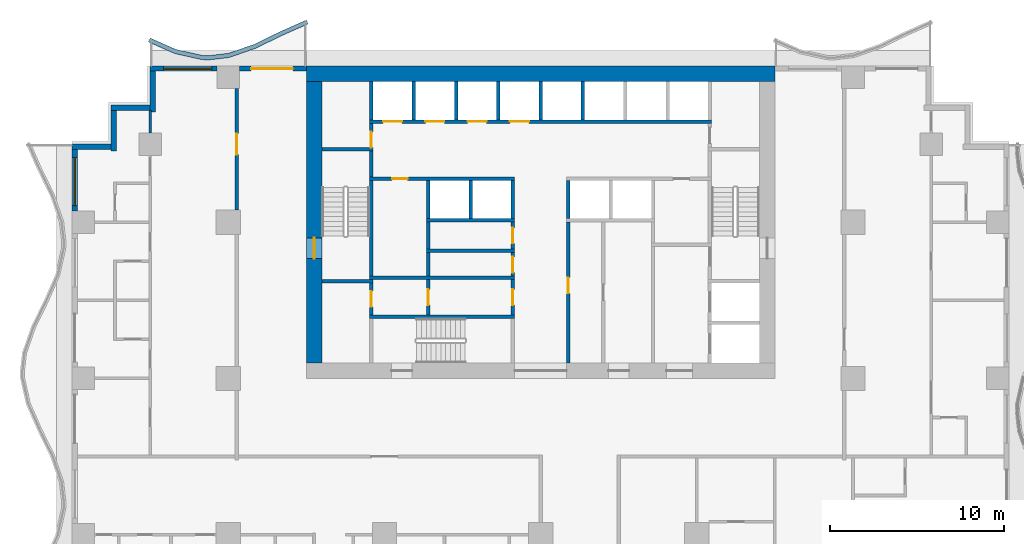
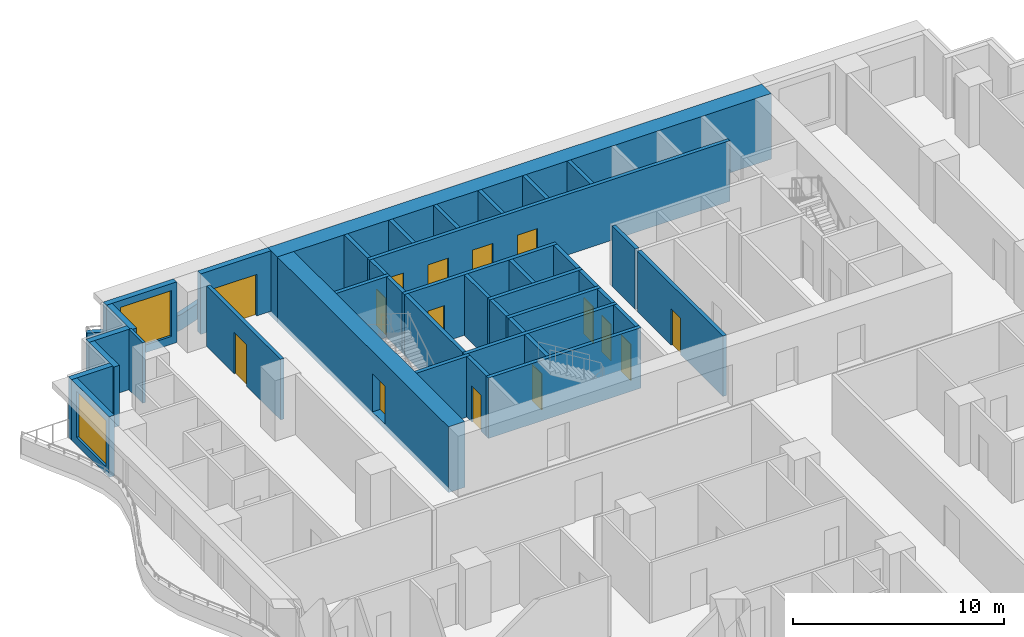
# One storey, part 5 of 14: 41 walls, 15 doors, 2 windows, 17 openings.
"""IFC4 building model written with IfcOpenShell, lengths in metres."""

from ifc_helpers import new_model, si_unit, direction, frame, frame_2d, origin, place, context, subcontext, project, spatial, polyline, rectangle, outline, extrude, material, layer, layer_set, type_object, element, fill, save


model = new_model("IFC4")

# Units and contexts
model_context = context("Model", 3, precision=1e-05, world=origin(), true_north=direction((0.0, 1.0)))
body_context = subcontext(model_context, "Body", "Model", "MODEL_VIEW")
ifc_project = project(units=[si_unit("LENGTHUNIT", "METRE"), si_unit("AREAUNIT", "SQUARE_METRE"), si_unit("VOLUMEUNIT", "CUBIC_METRE"), si_unit("PLANEANGLEUNIT", "RADIAN"), si_unit("MASSUNIT", "GRAM", prefix="KILO")], contexts=[model_context])

# Site, building, storey
site_placement = place(None, origin())
site = spatial("IfcSite", under=ifc_project, at=site_placement, CompositionType="ELEMENT")
building_placement = place(site_placement, origin())
building = spatial("IfcBuilding", under=site, at=building_placement, Name="Orbiselva Terraces", CompositionType="ELEMENT")
storey_placement = place(building_placement, frame((0.0, 0.0, 88.4)))
storey = spatial("IfcBuildingStorey", under=building, at=storey_placement, Name="L22", CompositionType="ELEMENT", Elevation=88.4)

# Wall, opening, door
ifc_material_1 = material(Name="Concrete C80/95", Category="concrete")
ifc_layer_1 = layer(ifc_material_1, 0.9)
ifc_layer_set_1 = layer_set([ifc_layer_1], Name="Concrete C80/95")
wall_type_1 = type_object("IfcWallType", Name="CORE WALL 900", PredefinedType="SHEAR", material=ifc_layer_set_1)
wall_1_placement = place(storey_placement, frame((-13.05, 21.6, -0.3), z_axis=(0.0, 0.0, 1.0), x_axis=(0.0, -1.0, 0.0)))
wall_1 = element("IfcWall", 1, at=wall_1_placement, inside=storey, type_object=wall_type_1, Name="Core wall L22 west", PredefinedType="SHEAR", context=body_context, shape_type="SweptSolid", body=[
    extrude(rectangle(XDim=16.2, YDim=0.9, at=frame_2d((8.1, 0.0))), origin(), (0.0, 0.0, 1.0), 3.8),
])
opening_1_placement = place(wall_1_placement, frame((9.0, 0.0, 0.3)))
opening_1 = element("IfcOpeningElement", 2, at=opening_1_placement, cuts=wall_1, Name="Opening DS1200", PredefinedType="OPENING", context=body_context, shape_type="SweptSolid", body=[
    extrude(rectangle(XDim=1.2, YDim=2.2, at=frame_2d((0.6, 1.1))), frame((0.0, 0.46, 0.0), z_axis=(0.0, -1.0, 0.0), x_axis=(1.0, 0.0, 0.0)), (0.0, 0.0, 1.0), 0.92),
])
ifc_material_2 = material(Name="Steel fire door", Category="steel")
door_type_1 = type_object("IfcDoorType", Name="STAIR DOOR 1200", OperationType="NOTDEFINED", PredefinedType="DOOR", material=ifc_material_2)
door_1_placement = place(opening_1_placement, frame((1.2, 0.0, 0.0), z_axis=(0.0, 0.0, 1.0), x_axis=(-1.0, 0.0, 0.0)))
door_1 = element("IfcDoor", 3, at=door_1_placement, inside=storey, type_object=door_type_1, Name="L22 EXIT STAIR S1 door", OperationType="SINGLE_SWING_RIGHT", OverallHeight=2.2, OverallWidth=1.2, PredefinedType="DOOR", context=body_context, shape_type="SweptSolid", body=[
    extrude(rectangle(XDim=1.2, YDim=2.2, at=frame_2d((0.6, 1.1))), frame((0.0, 0.025, 0.0), z_axis=(0.0, -1.0, 0.0), x_axis=(1.0, 0.0, 0.0)), (0.0, 0.0, 1.0), 0.05),
])
fill(opening_1, door_1)

# Wall
ifc_layer_2 = layer(ifc_material_1, 0.9)
ifc_layer_set_2 = layer_set([ifc_layer_2], Name="Concrete C80/95")
wall_type_2 = type_object("IfcWallType", Name="CORE WALL 900 EXTERNAL", PredefinedType="SHEAR", material=ifc_layer_set_2)
wall_2_placement = place(storey_placement, frame((13.5, 22.05, -0.3), z_axis=(0.0, 0.0, 1.0), x_axis=(-1.0, 0.0, 0.0)))
element("IfcWall", 4, at=wall_2_placement, inside=storey, type_object=wall_type_2, Name="Core wall L22 north", PredefinedType="SHEAR", context=body_context, shape_type="SweptSolid", body=[
    extrude(rectangle(XDim=27.0, YDim=0.9, at=frame_2d((13.5, 0.0))), origin(), (0.0, 0.0, 1.0), 3.8),
])

# Wall, opening, door
ifc_material_3 = material(Name="Masonry blockwork", Category="masonry")
ifc_layer_3 = layer(ifc_material_3, 0.2)
ifc_layer_set_3 = layer_set([ifc_layer_3], Name="Masonry blockwork")
wall_type_3 = type_object("IfcWallType", Name="CORE-WALL-PARTITION-200", PredefinedType="PARTITIONING", material=ifc_layer_set_3)
wall_3_placement = place(storey_placement, frame((-9.75, 8.15, 0.0), z_axis=(0.0, 0.0, 1.0), x_axis=(0.0, 1.0, 0.0)))
wall_3 = element("IfcWall", 5, at=wall_3_placement, inside=storey, type_object=wall_type_3, Name="L22 core wall 05", PredefinedType="PARTITIONING", context=body_context, shape_type="SweptSolid", body=[
    extrude(rectangle(XDim=1.85, YDim=0.2, at=frame_2d((0.925, 0.0))), origin(), (0.0, 0.0, 1.0), 3.5),
])
opening_2_placement = place(wall_3_placement, frame((0.475, 0.0, 0.0)))
opening_2 = element("IfcOpeningElement", 6, at=opening_2_placement, cuts=wall_3, Name="Opening DR900", PredefinedType="OPENING", context=body_context, shape_type="SweptSolid", body=[
    extrude(rectangle(XDim=0.9, YDim=2.1, at=frame_2d((0.45, 1.05))), frame((0.0, 0.11, 0.0), z_axis=(0.0, -1.0, 0.0), x_axis=(1.0, 0.0, 0.0)), (0.0, 0.0, 1.0), 0.22),
])
door_type_2 = type_object("IfcDoorType", Name="ROOM DOOR 900", OperationType="NOTDEFINED", PredefinedType="DOOR", material=ifc_material_2)
door_2_placement = place(opening_2_placement, origin())
door_2 = element("IfcDoor", 7, at=door_2_placement, inside=storey, type_object=door_type_2, Name="L22 ACCESSIBLE WC door", OperationType="SINGLE_SWING_RIGHT", OverallHeight=2.1, OverallWidth=0.9, PredefinedType="DOOR", context=body_context, shape_type="SweptSolid", body=[
    extrude(rectangle(XDim=0.9, YDim=2.1, at=frame_2d((0.45, 1.05))), frame((0.0, 0.025, 0.0), z_axis=(0.0, -1.0, 0.0), x_axis=(1.0, 0.0, 0.0)), (0.0, 0.0, 1.0), 0.05),
])
fill(opening_2, door_2)

wall_4_placement = place(storey_placement, frame((-9.75, 17.8, 0.0), z_axis=(0.0, 0.0, 1.0), x_axis=(0.0, 1.0, 0.0)))
wall_4 = element("IfcWall", 8, at=wall_4_placement, inside=storey, type_object=wall_type_3, Name="L22 core wall 10", PredefinedType="PARTITIONING", context=body_context, shape_type="SweptSolid", body=[
    extrude(rectangle(XDim=1.4, YDim=0.2, at=frame_2d((0.7, 0.0))), origin(), (0.0, 0.0, 1.0), 3.5),
])
opening_3_placement = place(wall_4_placement, origin())
opening_3 = element("IfcOpeningElement", 9, at=opening_3_placement, cuts=wall_4, Name="Opening DR900", PredefinedType="OPENING", context=body_context, shape_type="SweptSolid", body=[
    extrude(rectangle(XDim=0.9, YDim=2.1, at=frame_2d((0.45, 1.05))), frame((0.0, 0.11, 0.0), z_axis=(0.0, -1.0, 0.0), x_axis=(1.0, 0.0, 0.0)), (0.0, 0.0, 1.0), 0.22),
])
door_3_placement = place(opening_3_placement, origin())
door_3 = element("IfcDoor", 10, at=door_3_placement, inside=storey, type_object=door_type_2, Name="L22 ELECTRICAL RISER ROOM door", OperationType="SINGLE_SWING_LEFT", OverallHeight=2.1, OverallWidth=0.9, PredefinedType="DOOR", context=body_context, shape_type="SweptSolid", body=[
    extrude(rectangle(XDim=0.9, YDim=2.1, at=frame_2d((0.45, 1.05))), frame((0.0, 0.025, 0.0), z_axis=(0.0, -1.0, 0.0), x_axis=(1.0, 0.0, 0.0)), (0.0, 0.0, 1.0), 0.05),
])
fill(opening_3, door_3)

wall_5_placement = place(storey_placement, frame((-6.475, 8.15, 0.0), z_axis=(0.0, 0.0, 1.0), x_axis=(0.0, 1.0, 0.0)))
wall_5 = element("IfcWall", 11, at=wall_5_placement, inside=storey, type_object=wall_type_3, Name="L22 core wall 14", PredefinedType="PARTITIONING", context=body_context, shape_type="SweptSolid", body=[
    extrude(rectangle(XDim=2.05, YDim=0.2, at=frame_2d((1.025, 0.0))), origin(), (0.0, 0.0, 1.0), 3.5),
])
opening_4_placement = place(wall_5_placement, frame((0.575, 0.0, 0.0)))
opening_4 = element("IfcOpeningElement", 12, at=opening_4_placement, cuts=wall_5, Name="Opening DR900", PredefinedType="OPENING", context=body_context, shape_type="SweptSolid", body=[
    extrude(rectangle(XDim=0.9, YDim=2.1, at=frame_2d((0.45, 1.05))), frame((0.0, 0.11, 0.0), z_axis=(0.0, -1.0, 0.0), x_axis=(1.0, 0.0, 0.0)), (0.0, 0.0, 1.0), 0.22),
])
door_4_placement = place(opening_4_placement, origin())
door_4 = element("IfcDoor", 13, at=door_4_placement, inside=storey, type_object=door_type_2, Name="L22 CLEANERS STORE door", OperationType="SINGLE_SWING_RIGHT", OverallHeight=2.1, OverallWidth=0.9, PredefinedType="DOOR", context=body_context, shape_type="SweptSolid", body=[
    extrude(rectangle(XDim=0.9, YDim=2.1, at=frame_2d((0.45, 1.05))), frame((0.0, 0.025, 0.0), z_axis=(0.0, -1.0, 0.0), x_axis=(1.0, 0.0, 0.0)), (0.0, 0.0, 1.0), 0.05),
])
fill(opening_4, door_4)

# Walls
wall_6_placement = place(storey_placement, frame((-6.475, 10.4, 0.0), z_axis=(0.0, 0.0, 1.0), x_axis=(0.0, 1.0, 0.0)))
element("IfcWall", 14, at=wall_6_placement, inside=storey, type_object=wall_type_3, Name="L22 core wall 15", PredefinedType="PARTITIONING", context=body_context, shape_type="SweptSolid", body=[
    extrude(rectangle(XDim=1.35, YDim=0.2, at=frame_2d((0.675, 0.0))), origin(), (0.0, 0.0, 1.0), 3.5),
])
wall_7_placement = place(storey_placement, frame((-6.475, 11.95, 0.0), z_axis=(0.0, 0.0, 1.0), x_axis=(0.0, 1.0, 0.0)))
element("IfcWall", 15, at=wall_7_placement, inside=storey, type_object=wall_type_3, Name="L22 core wall 17", PredefinedType="PARTITIONING", context=body_context, shape_type="SweptSolid", body=[
    extrude(rectangle(XDim=1.55, YDim=0.2, at=frame_2d((0.775, 0.0))), origin(), (0.0, 0.0, 1.0), 3.5),
])

# Wall, opening, door
wall_8_placement = place(storey_placement, frame((-1.6, 8.15, 0.0), z_axis=(0.0, 0.0, 1.0), x_axis=(0.0, 1.0, 0.0)))
wall_8 = element("IfcWall", 16, at=wall_8_placement, inside=storey, type_object=wall_type_3, Name="L22 core wall 24", PredefinedType="PARTITIONING", context=body_context, shape_type="SweptSolid", body=[
    extrude(rectangle(XDim=2.05, YDim=0.2, at=frame_2d((1.025, 0.0))), origin(), (0.0, 0.0, 1.0), 3.5),
])
opening_5_placement = place(wall_8_placement, frame((0.575, 0.0, 0.0)))
opening_5 = element("IfcOpeningElement", 17, at=opening_5_placement, cuts=wall_8, Name="Opening DR900", PredefinedType="OPENING", context=body_context, shape_type="SweptSolid", body=[
    extrude(rectangle(XDim=0.9, YDim=2.1, at=frame_2d((0.45, 1.05))), frame((0.0, 0.11, 0.0), z_axis=(0.0, -1.0, 0.0), x_axis=(1.0, 0.0, 0.0)), (0.0, 0.0, 1.0), 0.22),
])
door_5_placement = place(opening_5_placement, origin())
door_5 = element("IfcDoor", 18, at=door_5_placement, inside=storey, type_object=door_type_2, Name="L22 COMMS ROOM door", OperationType="SINGLE_SWING_RIGHT", OverallHeight=2.1, OverallWidth=0.9, PredefinedType="DOOR", context=body_context, shape_type="SweptSolid", body=[
    extrude(rectangle(XDim=0.9, YDim=2.1, at=frame_2d((0.45, 1.05))), frame((0.0, 0.025, 0.0), z_axis=(0.0, -1.0, 0.0), x_axis=(1.0, 0.0, 0.0)), (0.0, 0.0, 1.0), 0.05),
])
fill(opening_5, door_5)

wall_9_placement = place(storey_placement, frame((-1.6, 10.4, 0.0), z_axis=(0.0, 0.0, 1.0), x_axis=(0.0, 1.0, 0.0)))
wall_9 = element("IfcWall", 19, at=wall_9_placement, inside=storey, type_object=wall_type_3, Name="L22 core wall 25", PredefinedType="PARTITIONING", context=body_context, shape_type="SweptSolid", body=[
    extrude(rectangle(XDim=1.35, YDim=0.2, at=frame_2d((0.675, 0.0))), origin(), (0.0, 0.0, 1.0), 3.5),
])
opening_6_placement = place(wall_9_placement, frame((0.2, 0.0, 0.0)))
opening_6 = element("IfcOpeningElement", 20, at=opening_6_placement, cuts=wall_9, Name="Opening DR900", PredefinedType="OPENING", context=body_context, shape_type="SweptSolid", body=[
    extrude(rectangle(XDim=0.9, YDim=2.1, at=frame_2d((0.45, 1.05))), frame((0.0, 0.11, 0.0), z_axis=(0.0, -1.0, 0.0), x_axis=(1.0, 0.0, 0.0)), (0.0, 0.0, 1.0), 0.22),
])
door_6_placement = place(opening_6_placement, origin())
door_6 = element("IfcDoor", 21, at=door_6_placement, inside=storey, type_object=door_type_2, Name="L22 BUILDING STORE door", OperationType="SINGLE_SWING_LEFT", OverallHeight=2.1, OverallWidth=0.9, PredefinedType="DOOR", context=body_context, shape_type="SweptSolid", body=[
    extrude(rectangle(XDim=0.9, YDim=2.1, at=frame_2d((0.45, 1.05))), frame((0.0, 0.025, 0.0), z_axis=(0.0, -1.0, 0.0), x_axis=(1.0, 0.0, 0.0)), (0.0, 0.0, 1.0), 0.05),
])
fill(opening_6, door_6)

wall_10_placement = place(storey_placement, frame((-1.6, 11.95, 0.0), z_axis=(0.0, 0.0, 1.0), x_axis=(0.0, 1.0, 0.0)))
wall_10 = element("IfcWall", 22, at=wall_10_placement, inside=storey, type_object=wall_type_3, Name="L22 core wall 26", PredefinedType="PARTITIONING", context=body_context, shape_type="SweptSolid", body=[
    extrude(rectangle(XDim=1.55, YDim=0.2, at=frame_2d((0.775, 0.0))), origin(), (0.0, 0.0, 1.0), 3.5),
])
opening_7_placement = place(wall_10_placement, frame((0.325, 0.0, 0.0)))
opening_7 = element("IfcOpeningElement", 23, at=opening_7_placement, cuts=wall_10, Name="Opening DR900", PredefinedType="OPENING", context=body_context, shape_type="SweptSolid", body=[
    extrude(rectangle(XDim=0.9, YDim=2.1, at=frame_2d((0.45, 1.05))), frame((0.0, 0.11, 0.0), z_axis=(0.0, -1.0, 0.0), x_axis=(1.0, 0.0, 0.0)), (0.0, 0.0, 1.0), 0.22),
])
door_7_placement = place(opening_7_placement, origin())
door_7 = element("IfcDoor", 24, at=door_7_placement, inside=storey, type_object=door_type_2, Name="L22 LINEN STORE door", OperationType="SINGLE_SWING_LEFT", OverallHeight=2.1, OverallWidth=0.9, PredefinedType="DOOR", context=body_context, shape_type="SweptSolid", body=[
    extrude(rectangle(XDim=0.9, YDim=2.1, at=frame_2d((0.45, 1.05))), frame((0.0, 0.025, 0.0), z_axis=(0.0, -1.0, 0.0), x_axis=(1.0, 0.0, 0.0)), (0.0, 0.0, 1.0), 0.05),
])
fill(opening_7, door_7)

# Walls
ifc_material_4 = material(Name="Concrete C40/50", Category="concrete")
ifc_layer_4 = layer(ifc_material_4, 0.2)
ifc_layer_set_4 = layer_set([ifc_layer_4], Name="Concrete C40/50")
wall_type_4 = type_object("IfcWallType", Name="CORE-WALL-SHAFT-200", PredefinedType="PARTITIONING", material=ifc_layer_set_4)
for number, where, z_axis, x_axis, name in (
    (25, (-9.75, 19.4, 0.0), (0.0, 0.0, 1.0), (0.0, 1.0, 0.0), "L22 core wall 12"),
    (26, (-7.3125, 19.4, 0.0), (0.0, 0.0, 1.0), (0.0, 1.0, 0.0), "L22 core wall 13"),
    (27, (-6.475, 13.7, 0.0), (0.0, 0.0, 1.0), (0.0, 1.0, 0.0), "L22 core wall 19"),
    (28, (-4.875, 19.4, 0.0), (0.0, 0.0, 1.0), (0.0, 1.0, 0.0), "L22 core wall 20"),
    (29, (-4.0375, 13.7, 0.0), (0.0, 0.0, 1.0), (0.0, 1.0, 0.0), "L22 core wall 21"),
    (30, (-2.4375, 19.4, 0.0), (0.0, 0.0, 1.0), (0.0, 1.0, 0.0), "L22 core wall 22"),
    (31, (-1.6, 13.7, 0.0), (0.0, 0.0, 1.0), (0.0, 1.0, 0.0), "L22 core wall 27"),
    (32, (0.0, 19.4, 0.0), (0.0, 0.0, 1.0), (0.0, 1.0, 0.0), "L22 core wall 28"),
    (33, (1.6, 13.7, 0.0), (0.0, 0.0, 1.0), (0.0, 1.0, 0.0), "L22 core wall 31"),
    (34, (2.4375, 19.4, 0.0), (0.0, 0.0, 1.0), (0.0, 1.0, 0.0), "L22 core wall 33"),
):
    element("IfcWall", number, at=place(storey_placement, frame(where, z_axis=z_axis, x_axis=x_axis)), inside=storey, type_object=wall_type_4, Name=name, PredefinedType="PARTITIONING", context=body_context, shape_type="SweptSolid", body=[
        extrude(rectangle(XDim=2.2, YDim=0.2, at=frame_2d((1.1, 0.0))), origin(), (0.0, 0.0, 1.0), 3.5),
    ])
ifc_material_5 = material(Name="Concrete C60/75", Category="concrete")
ifc_layer_5 = layer(ifc_material_5, 0.2)
ifc_layer_set_5 = layer_set([ifc_layer_5], Name="Concrete C60/75")
wall_type_5 = type_object("IfcWallType", Name="CORE-WALL-SHEAR-200", PredefinedType="SHEAR", material=ifc_layer_set_5)
for number, where, z_axis, x_axis, name in (
    (35, (-12.6, 10.1, 0.0), (0.0, 0.0, 1.0), (1.0, 0.0, 0.0), "L22 core wall 01"),
    (36, (-12.6, 17.7, 0.0), (0.0, 0.0, 1.0), (1.0, 0.0, 0.0), "L22 core wall 02"),
):
    element("IfcWall", number, at=place(storey_placement, frame(where, z_axis=z_axis, x_axis=x_axis)), inside=storey, type_object=wall_type_5, Name=name, PredefinedType="SHEAR", context=body_context, shape_type="SweptSolid", body=[
        extrude(rectangle(XDim=2.95, YDim=0.2, at=frame_2d((1.475, 0.0))), origin(), (0.0, 0.0, 1.0), 3.5),
    ])
for number, where, z_axis, x_axis, name in (
    (37, (-9.85, 8.05, 0.0), (0.0, 0.0, 1.0), (1.0, 0.0, 0.0), "L22 core wall 04"),
    (38, (-9.85, 10.3, 0.0), (0.0, 0.0, 1.0), (1.0, 0.0, 0.0), "L22 core wall 06"),
):
    element("IfcWall", number, at=place(storey_placement, frame(where, z_axis=z_axis, x_axis=x_axis)), inside=storey, type_object=wall_type_5, Name=name, PredefinedType="SHEAR", context=body_context, shape_type="SweptSolid", body=[
        extrude(rectangle(XDim=8.35, YDim=0.2, at=frame_2d((4.175, 0.0))), origin(), (0.0, 0.0, 1.0), 3.5),
    ])
wall_11_placement = place(storey_placement, frame((-9.75, 10.4, 0.0), z_axis=(0.0, 0.0, 1.0), x_axis=(0.0, 1.0, 0.0)))
element("IfcWall", 39, at=wall_11_placement, inside=storey, type_object=wall_type_5, Name="L22 core wall 07", PredefinedType="SHEAR", context=body_context, shape_type="SweptSolid", body=[
    extrude(rectangle(XDim=5.5, YDim=0.2, at=frame_2d((2.75, 0.0))), origin(), (0.0, 0.0, 1.0), 3.5),
])

# Wall, opening, door
wall_12_placement = place(storey_placement, frame((-1.5, 16.0, 0.0), z_axis=(0.0, 0.0, 1.0), x_axis=(-1.0, 0.0, 0.0)))
wall_12 = element("IfcWall", 40, at=wall_12_placement, inside=storey, type_object=wall_type_5, Name="L22 core wall 08", PredefinedType="SHEAR", context=body_context, shape_type="SweptSolid", body=[
    extrude(rectangle(XDim=8.35, YDim=0.2, at=frame_2d((4.175, 0.0))), origin(), (0.0, 0.0, 1.0), 3.5),
])
opening_8_placement = place(wall_12_placement, frame((6.1625, 0.0, 0.0)))
opening_8 = element("IfcOpeningElement", 41, at=opening_8_placement, cuts=wall_12, Name="Opening DR900", PredefinedType="OPENING", context=body_context, shape_type="SweptSolid", body=[
    extrude(rectangle(XDim=0.9, YDim=2.1, at=frame_2d((0.45, 1.05))), frame((0.0, 0.11, 0.0), z_axis=(0.0, -1.0, 0.0), x_axis=(1.0, 0.0, 0.0)), (0.0, 0.0, 1.0), 0.22),
])
door_8_placement = place(opening_8_placement, origin())
door_8 = element("IfcDoor", 42, at=door_8_placement, inside=storey, type_object=door_type_2, Name="L22 GUEST PANTRY door", OperationType="SINGLE_SWING_RIGHT", OverallHeight=2.1, OverallWidth=0.9, PredefinedType="DOOR", context=body_context, shape_type="SweptSolid", body=[
    extrude(rectangle(XDim=0.9, YDim=2.1, at=frame_2d((0.45, 1.05))), frame((0.0, 0.025, 0.0), z_axis=(0.0, -1.0, 0.0), x_axis=(1.0, 0.0, 0.0)), (0.0, 0.0, 1.0), 0.05),
])
fill(opening_8, door_8)

# Wall
wall_13_placement = place(storey_placement, frame((-9.75, 16.1, 0.0), z_axis=(0.0, 0.0, 1.0), x_axis=(0.0, 1.0, 0.0)))
element("IfcWall", 43, at=wall_13_placement, inside=storey, type_object=wall_type_5, Name="L22 core wall 09", PredefinedType="SHEAR", context=body_context, shape_type="SweptSolid", body=[
    extrude(rectangle(XDim=1.5, YDim=0.2, at=frame_2d((0.75, 0.0))), origin(), (0.0, 0.0, 1.0), 3.5),
])

# Wall, openings, doors
wall_14_placement = place(storey_placement, frame((-9.85, 19.3, 0.0), z_axis=(0.0, 0.0, 1.0), x_axis=(1.0, 0.0, 0.0)))
wall_14 = element("IfcWall", 44, at=wall_14_placement, inside=storey, type_object=wall_type_5, Name="L22 core wall 11", PredefinedType="SHEAR", context=body_context, shape_type="SweptSolid", body=[
    extrude(rectangle(XDim=19.7, YDim=0.2, at=frame_2d((9.85, 0.0))), origin(), (0.0, 0.0, 1.0), 3.5),
])
opening_9_placement = place(wall_14_placement, frame((0.76875, 0.0, 0.0)))
opening_9 = element("IfcOpeningElement", 45, at=opening_9_placement, cuts=wall_14, Name="Opening LD-LR1", PredefinedType="OPENING", context=body_context, shape_type="SweptSolid", body=[
    extrude(rectangle(XDim=1.1, YDim=2.1, at=frame_2d((0.55, 1.05))), frame((0.0, 0.11, 0.0), z_axis=(0.0, -1.0, 0.0), x_axis=(1.0, 0.0, 0.0)), (0.0, 0.0, 1.0), 0.22),
])
opening_10_placement = place(wall_14_placement, frame((3.20625, 0.0, 0.0)))
opening_10 = element("IfcOpeningElement", 46, at=opening_10_placement, cuts=wall_14, Name="Opening LD-LR2", PredefinedType="OPENING", context=body_context, shape_type="SweptSolid", body=[
    extrude(rectangle(XDim=1.1, YDim=2.1, at=frame_2d((0.55, 1.05))), frame((0.0, 0.11, 0.0), z_axis=(0.0, -1.0, 0.0), x_axis=(1.0, 0.0, 0.0)), (0.0, 0.0, 1.0), 0.22),
])
opening_11_placement = place(wall_14_placement, frame((5.64375, 0.0, 0.0)))
opening_11 = element("IfcOpeningElement", 47, at=opening_11_placement, cuts=wall_14, Name="Opening LD-LR3", PredefinedType="OPENING", context=body_context, shape_type="SweptSolid", body=[
    extrude(rectangle(XDim=1.1, YDim=2.1, at=frame_2d((0.55, 1.05))), frame((0.0, 0.11, 0.0), z_axis=(0.0, -1.0, 0.0), x_axis=(1.0, 0.0, 0.0)), (0.0, 0.0, 1.0), 0.22),
])
opening_12_placement = place(wall_14_placement, frame((8.08125, 0.0, 0.0)))
opening_12 = element("IfcOpeningElement", 48, at=opening_12_placement, cuts=wall_14, Name="Opening LD-LR4", PredefinedType="OPENING", context=body_context, shape_type="SweptSolid", body=[
    extrude(rectangle(XDim=1.1, YDim=2.1, at=frame_2d((0.55, 1.05))), frame((0.0, 0.11, 0.0), z_axis=(0.0, -1.0, 0.0), x_axis=(1.0, 0.0, 0.0)), (0.0, 0.0, 1.0), 0.22),
])
ifc_material_6 = material(Name="Stainless steel landing door", Category="steel")
door_type_3 = type_object("IfcDoorType", Name="LANDING DOOR 1100", OperationType="SLIDING_TO_LEFT", PredefinedType="DOOR", material=ifc_material_6)
door_9_placement = place(opening_9_placement, origin())
door_9 = element("IfcDoor", 49, at=door_9_placement, inside=storey, type_object=door_type_3, Name="L22 landing door LR1", OperationType="SLIDING_TO_LEFT", OverallHeight=2.1, OverallWidth=1.1, PredefinedType="DOOR", context=body_context, shape_type="SweptSolid", body=[
    extrude(rectangle(XDim=1.1, YDim=2.1, at=frame_2d((0.55, 1.05))), frame((0.0, 0.025, 0.0), z_axis=(0.0, -1.0, 0.0), x_axis=(1.0, 0.0, 0.0)), (0.0, 0.0, 1.0), 0.05),
])
fill(opening_9, door_9)
door_10_placement = place(opening_10_placement, origin())
door_10 = element("IfcDoor", 50, at=door_10_placement, inside=storey, type_object=door_type_3, Name="L22 landing door LR2", OperationType="SLIDING_TO_LEFT", OverallHeight=2.1, OverallWidth=1.1, PredefinedType="DOOR", context=body_context, shape_type="SweptSolid", body=[
    extrude(rectangle(XDim=1.1, YDim=2.1, at=frame_2d((0.55, 1.05))), frame((0.0, 0.025, 0.0), z_axis=(0.0, -1.0, 0.0), x_axis=(1.0, 0.0, 0.0)), (0.0, 0.0, 1.0), 0.05),
])
fill(opening_10, door_10)
door_11_placement = place(opening_11_placement, origin())
door_11 = element("IfcDoor", 51, at=door_11_placement, inside=storey, type_object=door_type_3, Name="L22 landing door LR3", OperationType="SLIDING_TO_LEFT", OverallHeight=2.1, OverallWidth=1.1, PredefinedType="DOOR", context=body_context, shape_type="SweptSolid", body=[
    extrude(rectangle(XDim=1.1, YDim=2.1, at=frame_2d((0.55, 1.05))), frame((0.0, 0.025, 0.0), z_axis=(0.0, -1.0, 0.0), x_axis=(1.0, 0.0, 0.0)), (0.0, 0.0, 1.0), 0.05),
])
fill(opening_11, door_11)
door_12_placement = place(opening_12_placement, origin())
door_12 = element("IfcDoor", 52, at=door_12_placement, inside=storey, type_object=door_type_3, Name="L22 landing door LR4", OperationType="SLIDING_TO_LEFT", OverallHeight=2.1, OverallWidth=1.1, PredefinedType="DOOR", context=body_context, shape_type="SweptSolid", body=[
    extrude(rectangle(XDim=1.1, YDim=2.1, at=frame_2d((0.55, 1.05))), frame((0.0, 0.025, 0.0), z_axis=(0.0, -1.0, 0.0), x_axis=(1.0, 0.0, 0.0)), (0.0, 0.0, 1.0), 0.05),
])
fill(opening_12, door_12)

# Walls
for number, where, z_axis, x_axis, name in (
    (53, (-6.575, 11.85, 0.0), (0.0, 0.0, 1.0), (1.0, 0.0, 0.0), "L22 core wall 16"),
    (54, (-6.575, 13.6, 0.0), (0.0, 0.0, 1.0), (1.0, 0.0, 0.0), "L22 core wall 18"),
):
    element("IfcWall", number, at=place(storey_placement, frame(where, z_axis=z_axis, x_axis=x_axis)), inside=storey, type_object=wall_type_5, Name=name, PredefinedType="SHEAR", context=body_context, shape_type="SweptSolid", body=[
        extrude(rectangle(XDim=5.075, YDim=0.2, at=frame_2d((2.5375, 0.0))), origin(), (0.0, 0.0, 1.0), 3.5),
    ])

# Wall, opening, door
wall_15_placement = place(storey_placement, frame((1.6, 13.5, 0.0), z_axis=(0.0, 0.0, 1.0), x_axis=(0.0, -1.0, 0.0)))
wall_15 = element("IfcWall", 55, at=wall_15_placement, inside=storey, type_object=wall_type_5, Name="L22 core wall 29", PredefinedType="SHEAR", context=body_context, shape_type="SweptSolid", body=[
    extrude(rectangle(XDim=8.1, YDim=0.2, at=frame_2d((4.05, 0.0))), origin(), (0.0, 0.0, 1.0), 3.5),
])
opening_13_placement = place(wall_15_placement, frame((3.2, 0.0, 0.0)))
opening_13 = element("IfcOpeningElement", 56, at=opening_13_placement, cuts=wall_15, Name="Opening DR900", PredefinedType="OPENING", context=body_context, shape_type="SweptSolid", body=[
    extrude(rectangle(XDim=0.9, YDim=2.1, at=frame_2d((0.45, 1.05))), frame((0.0, 0.11, 0.0), z_axis=(0.0, -1.0, 0.0), x_axis=(1.0, 0.0, 0.0)), (0.0, 0.0, 1.0), 0.22),
])
door_13_placement = place(opening_13_placement, origin())
door_13 = element("IfcDoor", 57, at=door_13_placement, inside=storey, type_object=door_type_2, Name="L22 COMMS ROOM door", OperationType="SINGLE_SWING_LEFT", OverallHeight=2.1, OverallWidth=0.9, PredefinedType="DOOR", context=body_context, shape_type="SweptSolid", body=[
    extrude(rectangle(XDim=0.9, YDim=2.1, at=frame_2d((0.45, 1.05))), frame((0.0, 0.025, 0.0), z_axis=(0.0, -1.0, 0.0), x_axis=(1.0, 0.0, 0.0)), (0.0, 0.0, 1.0), 0.05),
])
fill(opening_13, door_13)

# Wall
ifc_layer_6 = layer(ifc_material_4, 0.25)
ifc_layer_set_6 = layer_set([ifc_layer_6], Name="Concrete C40/50")
wall_type_6 = type_object("IfcWallType", Name="ENV-PLANTER-250x900", PredefinedType="USERDEFINED", material=ifc_layer_set_6)
wall_16_placement = place(storey_placement, origin())
element("IfcWall", 58, at=wall_16_placement, inside=storey, type_object=wall_type_6, Name="Balcony planter L22 NW", ObjectType="PLANTER", PredefinedType="USERDEFINED", context=body_context, shape_type="SweptSolid", body=[
    extrude(outline(polyline([(-13.5, 25.148528), (-15.0, 24.487721), (-16.5, 23.755211), (-18.0, 23.230792), (-19.125, 23.1), (-19.5, 23.114774), (-21.0, 23.451472), (-22.5, 24.112279), (-22.600788, 23.883496), (-21.078508, 23.212874), (-19.532565, 22.865863), (-19.115428, 22.849429), (-17.943629, 22.985662), (-16.40356, 23.524089), (-14.894714, 24.260919), (-13.399212, 24.919745), (-13.5, 25.148528)])), origin(), (0.0, 0.0, 1.0), 0.9),
])

# Wall, opening, door
ifc_material_7 = material(Name="Terracotta cladding on masonry backing", Category="masonry")
ifc_layer_7 = layer(ifc_material_7, 0.3)
ifc_layer_set_7 = layer_set([ifc_layer_7], Name="Terracotta cladding on masonry backing")
wall_type_7 = type_object("IfcWallType", Name="ENV-WALL-TERRACOTTA-300", PredefinedType="SOLIDWALL", material=ifc_layer_set_7)
wall_17_placement = place(storey_placement, frame((-17.35, 22.35, 0.0), z_axis=(0.0, 0.0, 1.0), x_axis=(1.0, 0.0, 0.0)))
wall_17 = element("IfcWall", 59, at=wall_17_placement, inside=storey, type_object=wall_type_7, Name="Facade wall L22 NW", PredefinedType="SOLIDWALL", context=body_context, shape_type="SweptSolid", body=[
    extrude(rectangle(XDim=3.85, YDim=0.3, at=frame_2d((1.925, 0.0))), origin(), (0.0, 0.0, 1.0), 3.5),
])
opening_14_placement = place(wall_17_placement, frame((0.675, 0.0, 0.0)))
opening_14 = element("IfcOpeningElement", 60, at=opening_14_placement, cuts=wall_17, Name="Opening Z2-B-E19", PredefinedType="OPENING", context=body_context, shape_type="SweptSolid", body=[
    extrude(rectangle(XDim=2.4, YDim=2.4, at=frame_2d((1.2, 1.2))), frame((0.0, 0.16, 0.0), z_axis=(0.0, -1.0, 0.0), x_axis=(1.0, 0.0, 0.0)), (0.0, 0.0, 1.0), 0.32),
])
ifc_material_8 = material(Name="Clear low-e glazing in aluminium frame", Category="aluminium")
door_type_4 = type_object("IfcDoorType", Name="BALCONY DOOR 2400 X 2400", OperationType="DOUBLE_DOOR_SLIDING", PredefinedType="DOOR", material=ifc_material_8)
door_14_placement = place(opening_14_placement, origin())
door_14 = element("IfcDoor", 61, at=door_14_placement, inside=storey, type_object=door_type_4, Name="Z2-B-E19", OperationType="SINGLE_SWING_LEFT", OverallHeight=2.4, OverallWidth=2.4, PredefinedType="DOOR", context=body_context, shape_type="SweptSolid", body=[
    extrude(rectangle(XDim=2.4, YDim=2.4, at=frame_2d((1.2, 1.2))), frame((0.0, 0.025, 0.0), z_axis=(0.0, -1.0, 0.0), x_axis=(1.0, 0.0, 0.0)), (0.0, 0.0, 1.0), 0.05),
])
fill(opening_14, door_14)

# Wall, opening, window
wall_18_placement = place(storey_placement, frame((-22.5, 22.35, 0.0), z_axis=(0.0, 0.0, 1.0), x_axis=(1.0, 0.0, 0.0)))
wall_18 = element("IfcWall", 62, at=wall_18_placement, inside=storey, type_object=wall_type_7, Name="Facade wall L22 NW", PredefinedType="SOLIDWALL", context=body_context, shape_type="SweptSolid", body=[
    extrude(rectangle(XDim=3.85, YDim=0.3, at=frame_2d((1.925, 0.0))), origin(), (0.0, 0.0, 1.0), 3.5),
])
opening_15_placement = place(wall_18_placement, frame((0.775, 0.0, 0.45)))
opening_15 = element("IfcOpeningElement", 63, at=opening_15_placement, cuts=wall_18, Name="Opening WN6", PredefinedType="OPENING", context=body_context, shape_type="SweptSolid", body=[
    extrude(rectangle(XDim=2.775, YDim=2.65, at=frame_2d((1.3875, 1.325))), frame((0.0, 0.16, 0.0), z_axis=(0.0, -1.0, 0.0), x_axis=(1.0, 0.0, 0.0)), (0.0, 0.0, 1.0), 0.32),
])
window_type = type_object("IfcWindowType", Name="WINDOW 2775 X 2650 S450", PartitioningType="TRIPLE_PANEL_VERTICAL", PredefinedType="WINDOW", material=ifc_material_8)
window_1_placement = place(opening_15_placement, origin())
window_1 = element("IfcWindow", 64, at=window_1_placement, inside=storey, type_object=window_type, Name="Window L22 NW", OverallHeight=2.65, OverallWidth=2.775, PartitioningType="SINGLE_PANEL", PredefinedType="WINDOW", context=body_context, shape_type="SweptSolid", body=[
    extrude(rectangle(XDim=2.775, YDim=2.65, at=frame_2d((1.3875, 1.325))), frame((0.0, 0.03, 0.0), z_axis=(0.0, -1.0, 0.0), x_axis=(1.0, 0.0, 0.0)), (0.0, 0.0, 1.0), 0.06),
])
fill(opening_15, window_1)

# Walls
wall_19_placement = place(storey_placement, frame((-22.35, 19.85, 0.0), z_axis=(0.0, 0.0, 1.0), x_axis=(0.0, 1.0, 0.0)))
element("IfcWall", 65, at=wall_19_placement, inside=storey, type_object=wall_type_7, Name="Facade wall L22 STEP", PredefinedType="SOLIDWALL", context=body_context, shape_type="SweptSolid", body=[
    extrude(rectangle(XDim=2.35, YDim=0.3, at=frame_2d((1.175, 0.0))), origin(), (0.0, 0.0, 1.0), 3.5),
])
wall_20_placement = place(storey_placement, frame((-24.75, 20.1, 0.0), z_axis=(0.0, 0.0, 1.0), x_axis=(1.0, 0.0, 0.0)))
element("IfcWall", 66, at=wall_20_placement, inside=storey, type_object=wall_type_7, Name="Facade wall L22 STEP", PredefinedType="SOLIDWALL", context=body_context, shape_type="SweptSolid", body=[
    extrude(rectangle(XDim=2.25, YDim=0.3, at=frame_2d((1.125, 0.0))), origin(), (0.0, 0.0, 1.0), 3.5),
])
wall_21_placement = place(storey_placement, frame((-24.6, 17.6, 0.0), z_axis=(0.0, 0.0, 1.0), x_axis=(0.0, 1.0, 0.0)))
element("IfcWall", 67, at=wall_21_placement, inside=storey, type_object=wall_type_7, Name="Facade wall L22 STEP", PredefinedType="SOLIDWALL", context=body_context, shape_type="SweptSolid", body=[
    extrude(rectangle(XDim=2.35, YDim=0.3, at=frame_2d((1.175, 0.0))), origin(), (0.0, 0.0, 1.0), 3.5),
])
wall_22_placement = place(storey_placement, frame((-27.0, 17.85, 0.0), z_axis=(0.0, 0.0, 1.0), x_axis=(1.0, 0.0, 0.0)))
element("IfcWall", 68, at=wall_22_placement, inside=storey, type_object=wall_type_7, Name="Facade wall L22 STEP", PredefinedType="SOLIDWALL", context=body_context, shape_type="SweptSolid", body=[
    extrude(rectangle(XDim=2.25, YDim=0.3, at=frame_2d((1.125, 0.0))), origin(), (0.0, 0.0, 1.0), 3.5),
])

# Wall, opening, window
wall_23_placement = place(storey_placement, frame((-26.85, 14.15, 0.0), z_axis=(0.0, 0.0, 1.0), x_axis=(0.0, 1.0, 0.0)))
wall_23 = element("IfcWall", 69, at=wall_23_placement, inside=storey, type_object=wall_type_7, Name="Facade wall L22 W", PredefinedType="SOLIDWALL", context=body_context, shape_type="SweptSolid", body=[
    extrude(rectangle(XDim=3.55, YDim=0.3, at=frame_2d((1.775, 0.0))), origin(), (0.0, 0.0, 1.0), 3.5),
])
opening_16_placement = place(wall_23_placement, frame((0.3, 0.0, 0.45)))
opening_16 = element("IfcOpeningElement", 70, at=opening_16_placement, cuts=wall_23, Name="Opening WN6", PredefinedType="OPENING", context=body_context, shape_type="SweptSolid", body=[
    extrude(rectangle(XDim=2.775, YDim=2.65, at=frame_2d((1.3875, 1.325))), frame((0.0, 0.16, 0.0), z_axis=(0.0, -1.0, 0.0), x_axis=(1.0, 0.0, 0.0)), (0.0, 0.0, 1.0), 0.32),
])
window_2_placement = place(opening_16_placement, origin())
window_2 = element("IfcWindow", 71, at=window_2_placement, inside=storey, type_object=window_type, Name="Window L22 W", OverallHeight=2.65, OverallWidth=2.775, PartitioningType="SINGLE_PANEL", PredefinedType="WINDOW", context=body_context, shape_type="SweptSolid", body=[
    extrude(rectangle(XDim=2.775, YDim=2.65, at=frame_2d((1.3875, 1.325))), frame((0.0, 0.03, 0.0), z_axis=(0.0, -1.0, 0.0), x_axis=(1.0, 0.0, 0.0)), (0.0, 0.0, 1.0), 0.06),
])
fill(opening_16, window_2)

# Wall, opening, door
ifc_material_9 = material(Name="Plasterboard on steel stud partition", Category="steel")
ifc_layer_8 = layer(ifc_material_9, 0.2)
ifc_layer_set_8 = layer_set([ifc_layer_8], Name="Plasterboard on steel stud partition")
wall_type_8 = type_object("IfcWallType", Name="UNIT-ENTRANCE-WALL-200", PredefinedType="PARTITIONING", material=ifc_layer_set_8)
wall_24_placement = place(storey_placement, frame((-17.5, 14.2, 0.0), z_axis=(0.0, 0.0, 1.0), x_axis=(0.0, 1.0, 0.0)))
wall_24 = element("IfcWall", 72, at=wall_24_placement, inside=storey, type_object=wall_type_8, Name="PARTITION L22-054", PredefinedType="PARTITIONING", context=body_context, shape_type="SweptSolid", body=[
    extrude(rectangle(XDim=7.0, YDim=0.2, at=frame_2d((3.5, 0.0))), origin(), (0.0, 0.0, 1.0), 3.5),
])
opening_17_placement = place(wall_24_placement, frame((3.2, 0.0, 0.0)))
opening_17 = element("IfcOpeningElement", 73, at=opening_17_placement, cuts=wall_24, Name="Opening Z2-B-01", PredefinedType="OPENING", context=body_context, shape_type="SweptSolid", body=[
    extrude(rectangle(XDim=1.2, YDim=2.4, at=frame_2d((0.6, 1.2))), frame((0.0, 0.11, 0.0), z_axis=(0.0, -1.0, 0.0), x_axis=(1.0, 0.0, 0.0)), (0.0, 0.0, 1.0), 0.22),
])
ifc_material_10 = material(Name="Painted timber door leaf", Category="wood")
door_type_5 = type_object("IfcDoorType", Name="ENTRANCE DOOR 1200", OperationType="NOTDEFINED", PredefinedType="DOOR", material=ifc_material_10)
door_15_placement = place(opening_17_placement, origin())
door_15 = element("IfcDoor", 74, at=door_15_placement, inside=storey, type_object=door_type_5, Name="Z2-B-01", OperationType="SINGLE_SWING_RIGHT", OverallHeight=2.4, OverallWidth=1.2, PredefinedType="DOOR", context=body_context, shape_type="SweptSolid", body=[
    extrude(rectangle(XDim=1.2, YDim=2.4, at=frame_2d((0.6, 1.2))), frame((0.0, 0.025, 0.0), z_axis=(0.0, -1.0, 0.0), x_axis=(1.0, 0.0, 0.0)), (0.0, 0.0, 1.0), 0.05),
])
fill(opening_17, door_15)

# Wall
ifc_layer_9 = layer(ifc_material_9, 0.15)
ifc_layer_set_9 = layer_set([ifc_layer_9], Name="Plasterboard on steel stud partition")
wall_type_9 = type_object("IfcWallType", Name="UNIT-PARTITION-150", PredefinedType="PARTITIONING", material=ifc_layer_set_9)
wall_25_placement = place(storey_placement, frame((-22.5, 18.65, 0.0), z_axis=(0.0, 0.0, 1.0), x_axis=(0.0, 1.0, 0.0)))
element("IfcWall", 75, at=wall_25_placement, inside=storey, type_object=wall_type_9, Name="PARTITION L22-048", PredefinedType="PARTITIONING", context=body_context, shape_type="SweptSolid", body=[
    extrude(rectangle(XDim=1.3, YDim=0.15, at=frame_2d((0.65, 0.0))), origin(), (0.0, 0.0, 1.0), 3.5),
])

save(model, "model.ifc")
